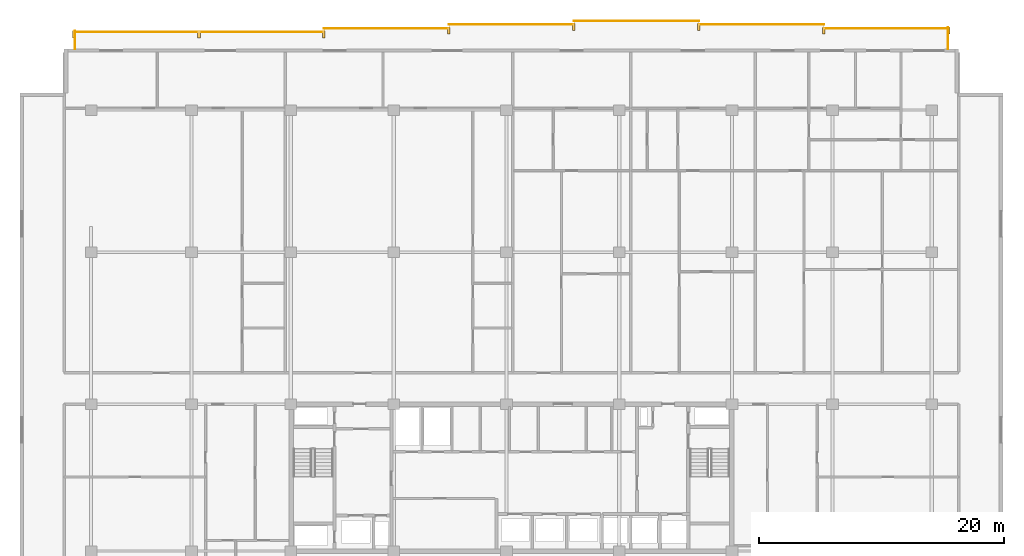
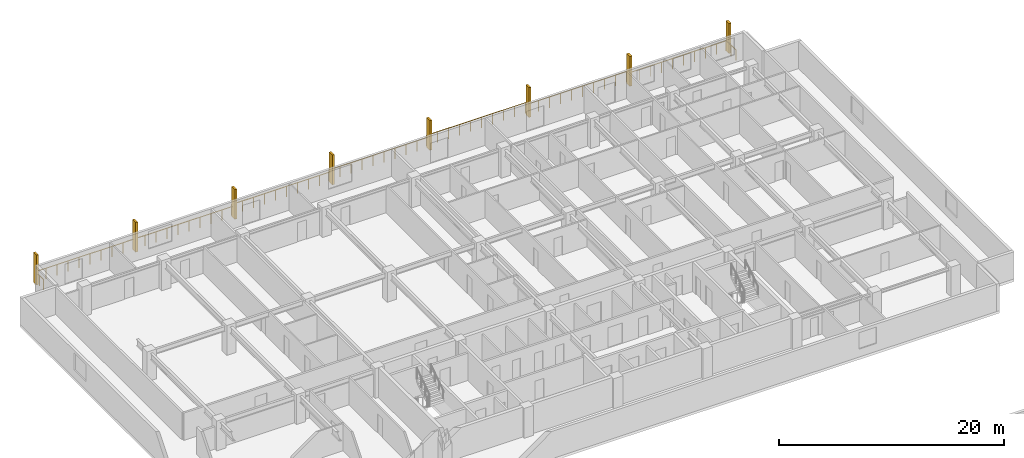
# One storey, part 21 of 21: 8 railings, 8 shading devices.
"""IFC4 building model written with IfcOpenShell, lengths in metres."""

from ifc_helpers import new_model, si_unit, direction, frame, origin, origin_2d, place, context, subcontext, project, spatial, rectangle, circle, extrude, material, type_object, element, save


model = new_model("IFC4")

# Units and contexts
model_context = context("Model", 3, precision=1e-05, world=origin(), true_north=direction((0.0, 1.0)))
body_context = subcontext(model_context, "Body", "Model", "MODEL_VIEW")
ifc_project = project(units=[si_unit("LENGTHUNIT", "METRE"), si_unit("AREAUNIT", "SQUARE_METRE"), si_unit("VOLUMEUNIT", "CUBIC_METRE"), si_unit("PLANEANGLEUNIT", "RADIAN"), si_unit("MASSUNIT", "GRAM", prefix="KILO")], contexts=[model_context])

# Site, building, storey
site_placement = place(None, origin())
site = spatial("IfcSite", under=ifc_project, at=site_placement, CompositionType="ELEMENT")
building_placement = place(site_placement, origin())
building = spatial("IfcBuilding", under=site, at=building_placement, Name="Korimba Cascade Residences", CompositionType="ELEMENT")
storey_placement = place(building_placement, frame((0.0, 0.0, 100.300048828125)))
storey = spatial("IfcBuildingStorey", under=building, at=storey_placement, Name="L28", CompositionType="ELEMENT", Elevation=100.300048828125)

# Railings
ifc_material_1 = material(Name="Laminated Glass and Bronze Balustrade", Category="glass")
railing_type = type_object("IfcRailingType", Name="RLG-LOG-1150", PredefinedType="BALUSTRADE", material=ifc_material_1)
railing_1_placement = place(storey_placement, frame((129.719970703125, 96.199951171875, 0.0)))
element("IfcRailing", 1, at=railing_1_placement, inside=storey, type_object=railing_type, Name="L28 Perimeter Guardrail RLG-L28-T1-LOG-01", PredefinedType="BALUSTRADE", context=body_context, shape_type="SweptSolid", body=[
    extrude(circle(Radius=0.02392578125, at=origin_2d()), frame((0.0, 0.0, 1.1259765625), z_axis=(0.0, 1.0, 0.0), x_axis=(-1.0, 0.0, 0.0)), (0.0, 0.0, 1.0), 1.75),
    extrude(circle(Radius=0.02099609375, at=origin_2d()), origin(), (0.0, 0.0, 1.0), 1.101806640625),
    extrude(circle(Radius=0.02099609375, at=origin_2d()), frame((0.0, 0.875, 0.0)), (0.0, 0.0, 1.0), 1.101806640625),
    extrude(circle(Radius=0.02099609375, at=origin_2d()), frame((0.0, 1.75, 0.0)), (0.0, 0.0, 1.0), 1.101806640625),
])
railing_2_placement = place(storey_placement, frame((129.800048828125, 97.8701171875, 0.0)))
element("IfcRailing", 2, at=railing_2_placement, inside=storey, type_object=railing_type, Name="L28 Perimeter Guardrail RLG-L28-T1-LOG-02", PredefinedType="BALUSTRADE", context=body_context, shape_type="SweptSolid", body=[
    extrude(circle(Radius=0.02392578125, at=origin_2d()), frame((0.0, 0.0, 1.1259765625), z_axis=(-1.0, 0.0, 0.0), x_axis=(0.0, -1.0, 0.0)), (0.0, 0.0, 1.0), 10.199951171875),
    extrude(circle(Radius=0.02099609375, at=origin_2d()), origin(), (0.0, 0.0, 1.0), 1.101806640625),
    extrude(circle(Radius=0.02099609375, at=origin_2d()), frame((-1.13330078125, 0.0, 0.0)), (0.0, 0.0, 1.0), 1.101806640625),
    extrude(circle(Radius=0.02099609375, at=origin_2d()), frame((-2.2666015625, 0.0, 0.0)), (0.0, 0.0, 1.0), 1.101806640625),
    extrude(circle(Radius=0.02099609375, at=origin_2d()), frame((-3.39990234375, 0.0, 0.0)), (0.0, 0.0, 1.0), 1.101806640625),
    extrude(circle(Radius=0.02099609375, at=origin_2d()), frame((-4.533203125, 0.0, 0.0)), (0.0, 0.0, 1.0), 1.101806640625),
    extrude(circle(Radius=0.02099609375, at=origin_2d()), frame((-5.666748046875, 0.0, 0.0)), (0.0, 0.0, 1.0), 1.101806640625),
    extrude(circle(Radius=0.02099609375, at=origin_2d()), frame((-6.800048828125, 0.0, 0.0)), (0.0, 0.0, 1.0), 1.101806640625),
    extrude(circle(Radius=0.02099609375, at=origin_2d()), frame((-7.933349609375, 0.0, 0.0)), (0.0, 0.0, 1.0), 1.101806640625),
    extrude(circle(Radius=0.02099609375, at=origin_2d()), frame((-9.066650390625, 0.0, 0.0)), (0.0, 0.0, 1.0), 1.101806640625),
    extrude(circle(Radius=0.02099609375, at=origin_2d()), frame((-10.199951171875, 0.0, 0.0)), (0.0, 0.0, 1.0), 1.101806640625),
])
railing_3_placement = place(storey_placement, frame((119.60009765625, 98.169921875, 0.0)))
element("IfcRailing", 3, at=railing_3_placement, inside=storey, type_object=railing_type, Name="L28 Perimeter Guardrail RLG-L28-T1-LOG-03", PredefinedType="BALUSTRADE", context=body_context, shape_type="SweptSolid", body=[
    extrude(circle(Radius=0.02392578125, at=origin_2d()), frame((0.0, 0.0, 1.1259765625), z_axis=(-1.0, 0.0, 0.0), x_axis=(0.0, -1.0, 0.0)), (0.0, 0.0, 1.0), 10.2001953125),
    extrude(circle(Radius=0.02099609375, at=origin_2d()), origin(), (0.0, 0.0, 1.0), 1.101806640625),
    extrude(circle(Radius=0.02099609375, at=origin_2d()), frame((-1.13330078125, 0.0, 0.0)), (0.0, 0.0, 1.0), 1.101806640625),
    extrude(circle(Radius=0.02099609375, at=origin_2d()), frame((-2.2666015625, 0.0, 0.0)), (0.0, 0.0, 1.0), 1.101806640625),
    extrude(circle(Radius=0.02099609375, at=origin_2d()), frame((-3.400146484375, 0.0, 0.0)), (0.0, 0.0, 1.0), 1.101806640625),
    extrude(circle(Radius=0.02099609375, at=origin_2d()), frame((-4.533447265625, 0.0, 0.0)), (0.0, 0.0, 1.0), 1.101806640625),
    extrude(circle(Radius=0.02099609375, at=origin_2d()), frame((-5.666748046875, 0.0, 0.0)), (0.0, 0.0, 1.0), 1.101806640625),
    extrude(circle(Radius=0.02099609375, at=origin_2d()), frame((-6.800048828125, 0.0, 0.0)), (0.0, 0.0, 1.0), 1.101806640625),
    extrude(circle(Radius=0.02099609375, at=origin_2d()), frame((-7.93359375, 0.0, 0.0)), (0.0, 0.0, 1.0), 1.101806640625),
    extrude(circle(Radius=0.02099609375, at=origin_2d()), frame((-9.06689453125, 0.0, 0.0)), (0.0, 0.0, 1.0), 1.101806640625),
    extrude(circle(Radius=0.02099609375, at=origin_2d()), frame((-10.2001953125, 0.0, 0.0)), (0.0, 0.0, 1.0), 1.101806640625),
])
for number, where, name in (
    (4, (109.39990234375, 98.469970703125, 0.0), "L28 Perimeter Guardrail RLG-L28-T1-LOG-04"),
    (5, (99.199951171875, 98.169921875, 0.0), "L28 Perimeter Guardrail RLG-L28-T1-LOG-05"),
    (6, (89.0, 97.8701171875, 0.0), "L28 Perimeter Guardrail RLG-L28-T1-LOG-06"),
):
    element("IfcRailing", number, at=place(storey_placement, frame(where)), inside=storey, type_object=railing_type, Name=name, PredefinedType="BALUSTRADE", context=body_context, shape_type="SweptSolid", body=[
        extrude(circle(Radius=0.02392578125, at=origin_2d()), frame((0.0, 0.0, 1.1259765625), z_axis=(-1.0, 0.0, 0.0), x_axis=(0.0, -1.0, 0.0)), (0.0, 0.0, 1.0), 10.199951171875),
        extrude(circle(Radius=0.02099609375, at=origin_2d()), origin(), (0.0, 0.0, 1.0), 1.101806640625),
        extrude(circle(Radius=0.02099609375, at=origin_2d()), frame((-1.13330078125, 0.0, 0.0)), (0.0, 0.0, 1.0), 1.101806640625),
        extrude(circle(Radius=0.02099609375, at=origin_2d()), frame((-2.2666015625, 0.0, 0.0)), (0.0, 0.0, 1.0), 1.101806640625),
        extrude(circle(Radius=0.02099609375, at=origin_2d()), frame((-3.39990234375, 0.0, 0.0)), (0.0, 0.0, 1.0), 1.101806640625),
        extrude(circle(Radius=0.02099609375, at=origin_2d()), frame((-4.533203125, 0.0, 0.0)), (0.0, 0.0, 1.0), 1.101806640625),
        extrude(circle(Radius=0.02099609375, at=origin_2d()), frame((-5.666748046875, 0.0, 0.0)), (0.0, 0.0, 1.0), 1.101806640625),
        extrude(circle(Radius=0.02099609375, at=origin_2d()), frame((-6.800048828125, 0.0, 0.0)), (0.0, 0.0, 1.0), 1.101806640625),
        extrude(circle(Radius=0.02099609375, at=origin_2d()), frame((-7.933349609375, 0.0, 0.0)), (0.0, 0.0, 1.0), 1.101806640625),
        extrude(circle(Radius=0.02099609375, at=origin_2d()), frame((-9.066650390625, 0.0, 0.0)), (0.0, 0.0, 1.0), 1.101806640625),
        extrude(circle(Radius=0.02099609375, at=origin_2d()), frame((-10.199951171875, 0.0, 0.0)), (0.0, 0.0, 1.0), 1.101806640625),
    ])
railing_4_placement = place(storey_placement, frame((78.800048828125, 97.570068359375, 0.0)))
element("IfcRailing", 7, at=railing_4_placement, inside=storey, type_object=railing_type, Name="L28 Perimeter Guardrail RLG-L28-T1-LOG-07", PredefinedType="BALUSTRADE", context=body_context, shape_type="SweptSolid", body=[
    extrude(circle(Radius=0.02392578125, at=origin_2d()), frame((0.0, 0.0, 1.1259765625), z_axis=(-1.0, 0.0, 0.0), x_axis=(0.0, -1.0, 0.0)), (0.0, 0.0, 1.0), 20.400146484375),
    extrude(circle(Radius=0.02099609375, at=origin_2d()), origin(), (0.0, 0.0, 1.0), 1.101806640625),
    extrude(circle(Radius=0.02099609375, at=origin_2d()), frame((-1.13330078125, 0.0, 0.0)), (0.0, 0.0, 1.0), 1.101806640625),
    extrude(circle(Radius=0.02099609375, at=origin_2d()), frame((-2.2666015625, 0.0, 0.0)), (0.0, 0.0, 1.0), 1.101806640625),
    extrude(circle(Radius=0.02099609375, at=origin_2d()), frame((-3.39990234375, 0.0, 0.0)), (0.0, 0.0, 1.0), 1.101806640625),
    extrude(circle(Radius=0.02099609375, at=origin_2d()), frame((-4.533447265625, 0.0, 0.0)), (0.0, 0.0, 1.0), 1.101806640625),
    extrude(circle(Radius=0.02099609375, at=origin_2d()), frame((-5.666748046875, 0.0, 0.0)), (0.0, 0.0, 1.0), 1.101806640625),
    extrude(circle(Radius=0.02099609375, at=origin_2d()), frame((-6.800048828125, 0.0, 0.0)), (0.0, 0.0, 1.0), 1.101806640625),
    extrude(circle(Radius=0.02099609375, at=origin_2d()), frame((-7.933349609375, 0.0, 0.0)), (0.0, 0.0, 1.0), 1.101806640625),
    extrude(circle(Radius=0.02099609375, at=origin_2d()), frame((-9.066650390625, 0.0, 0.0)), (0.0, 0.0, 1.0), 1.101806640625),
    extrude(circle(Radius=0.02099609375, at=origin_2d()), frame((-10.2001953125, 0.0, 0.0)), (0.0, 0.0, 1.0), 1.101806640625),
    extrude(circle(Radius=0.02099609375, at=origin_2d()), frame((-11.33349609375, 0.0, 0.0)), (0.0, 0.0, 1.0), 1.101806640625),
    extrude(circle(Radius=0.02099609375, at=origin_2d()), frame((-12.466796875, 0.0, 0.0)), (0.0, 0.0, 1.0), 1.101806640625),
    extrude(circle(Radius=0.02099609375, at=origin_2d()), frame((-13.60009765625, 0.0, 0.0)), (0.0, 0.0, 1.0), 1.101806640625),
    extrude(circle(Radius=0.02099609375, at=origin_2d()), frame((-14.7333984375, 0.0, 0.0)), (0.0, 0.0, 1.0), 1.101806640625),
    extrude(circle(Radius=0.02099609375, at=origin_2d()), frame((-15.86669921875, 0.0, 0.0)), (0.0, 0.0, 1.0), 1.101806640625),
    extrude(circle(Radius=0.02099609375, at=origin_2d()), frame((-17.0, 0.0, 0.0)), (0.0, 0.0, 1.0), 1.101806640625),
    extrude(circle(Radius=0.02099609375, at=origin_2d()), frame((-18.133544921875, 0.0, 0.0)), (0.0, 0.0, 1.0), 1.101806640625),
    extrude(circle(Radius=0.02099609375, at=origin_2d()), frame((-19.266845703125, 0.0, 0.0)), (0.0, 0.0, 1.0), 1.101806640625),
    extrude(circle(Radius=0.02099609375, at=origin_2d()), frame((-20.400146484375, 0.0, 0.0)), (0.0, 0.0, 1.0), 1.101806640625),
])
railing_5_placement = place(storey_placement, frame((58.47998046875, 97.64990234375, 0.0)))
element("IfcRailing", 8, at=railing_5_placement, inside=storey, type_object=railing_type, Name="L28 Perimeter Guardrail RLG-L28-T1-LOG-08", PredefinedType="BALUSTRADE", context=body_context, shape_type="SweptSolid", body=[
    extrude(circle(Radius=0.02392578125, at=origin_2d()), frame((0.0, 0.0, 1.1259765625), z_axis=(0.0, -1.0, 0.0), x_axis=(1.0, 0.0, 0.0)), (0.0, 0.0, 1.0), 1.449951171875),
    extrude(circle(Radius=0.02099609375, at=origin_2d()), origin(), (0.0, 0.0, 1.0), 1.101806640625),
    extrude(circle(Radius=0.02099609375, at=origin_2d()), frame((0.0, -0.72509765625, 0.0)), (0.0, 0.0, 1.0), 1.101806640625),
    extrude(circle(Radius=0.02099609375, at=origin_2d()), frame((0.0, -1.449951171875, 0.0)), (0.0, 0.0, 1.0), 1.101806640625),
])

# Shading devices
ifc_material_2 = material(Name="Honed Sandstone Precast Fin", Category="masonry")
shading_device_type = type_object("IfcShadingDeviceType", Name="SHD-FIN-550", PredefinedType="USERDEFINED", material=ifc_material_2)
for number, where, z_axis, x_axis, name in (
    (9, (58.39990234375, 97.375, 0.0), (0.0, 0.0, 1.0), (1.0, 0.0, 0.0), "L28 T1 Warm-Stone Loggia Fin 1"),
    (10, (68.60009765625, 97.375, 0.0), (0.0, 0.0, 1.0), (1.0, 0.0, 0.0), "L28 T1 Warm-Stone Loggia Fin 2"),
    (11, (78.800048828125, 97.375, 0.0), (0.0, 0.0, 1.0), (1.0, 0.0, 0.0), "L28 T1 Warm-Stone Loggia Fin 3"),
    (12, (89.0, 97.675048828125, 0.0), (0.0, 0.0, 1.0), (1.0, 0.0, 0.0), "L28 T1 Warm-Stone Loggia Fin 4"),
    (13, (99.199951171875, 97.97509765625, 0.0), (0.0, 0.0, 1.0), (1.0, 0.0, 0.0), "L28 T1 Warm-Stone Loggia Fin 5"),
    (14, (109.39990234375, 97.97509765625, 0.0), (0.0, 0.0, 1.0), (1.0, 0.0, 0.0), "L28 T1 Warm-Stone Loggia Fin 6"),
    (15, (119.60009765625, 97.675048828125, 0.0), (0.0, 0.0, 1.0), (1.0, 0.0, 0.0), "L28 T1 Warm-Stone Loggia Fin 7"),
    (16, (129.800048828125, 97.675048828125, 0.0), (0.0, 0.0, 1.0), (1.0, 0.0, 0.0), "L28 T1 Warm-Stone Loggia Fin 8"),
):
    element("IfcShadingDevice", number, at=place(storey_placement, frame(where, z_axis=z_axis, x_axis=x_axis)), inside=storey, type_object=shading_device_type, Name=name, ObjectType="FIN", PredefinedType="USERDEFINED", context=body_context, shape_type="SweptSolid", body=[
        extrude(rectangle(XDim=0.219970703125, YDim=0.550048828125, at=origin_2d()), origin(), (0.0, 0.0, 1.0), 3.25),
    ])

save(model, "model.ifc")
